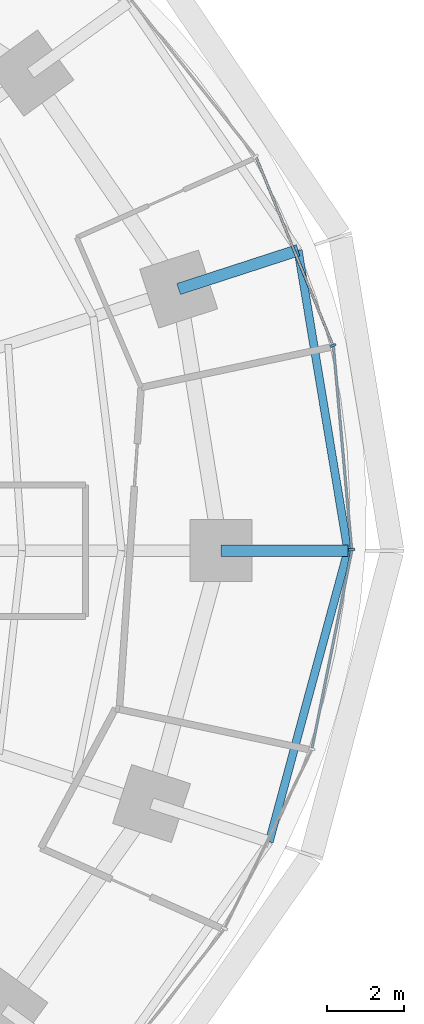
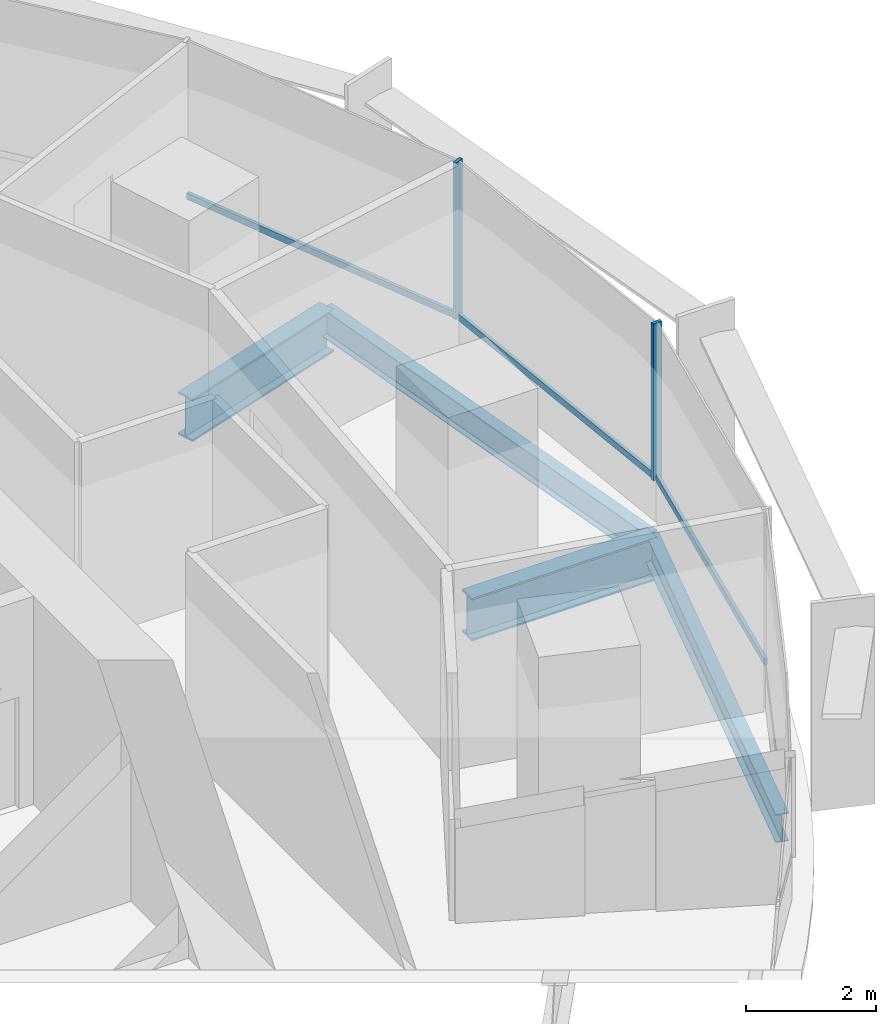
# One storey, part 6 of 14: 5 members, 4 beams, 2 elements without a shape of their own.
"""IFC4 building model written with IfcOpenShell, lengths in metres."""

import ifcopenshell
import ifcopenshell.guid

model = None  # the IFC model being written
_history = None  # IfcOwnerHistory: only IFC2X3 demands one
_inside = {}  # id of a spatial element -> (the spatial element, [elements in it])
_under = {}  # id of a project, library or spatial element -> (it, [spatial elements below it])
_declared = {}  # id of a project -> (the project, [libraries it declares])
_typed = {}  # id of a type object -> (the type object, [elements of that type])
_made_of = {}  # id of a material, layer set ... -> (it, [elements and type objects made of it])


def new_model(schema):
    """Start an empty IFC model of exactly this schema.

    Asked for "IFC4X3", IfcOpenShell would pick the latest addendum, in which some entities
    have other attributes; the version numbers below select the first issue.
    IFC2X3 requires an IfcOwnerHistory on every rooted entity: one is made here for all.
    """
    global model, _history
    if schema == "IFC4X3":
        model = ifcopenshell.file(schema_version=(4, 3, 0, 0))
    else:
        model = ifcopenshell.file(schema=schema)
    _inside.clear()
    _under.clear()
    _declared.clear()
    _typed.clear()
    _made_of.clear()
    _history = None
    if model.schema == "IFC2X3":
        org = make("IfcOrganization", Name="unknown")
        user = make(
            "IfcPersonAndOrganization",
            ThePerson=make("IfcPerson", FamilyName="unknown"),
            TheOrganization=org,
        )
        app = make(
            "IfcApplication",
            ApplicationDeveloper=org,
            Version="unknown",
            ApplicationFullName="unknown",
            ApplicationIdentifier="unknown",
        )
        _history = make(
            "IfcOwnerHistory",
            OwningUser=user,
            OwningApplication=app,
            ChangeAction="ADDED",
            CreationDate=0,
        )
    return model


def make(cls, **values):
    """One entity of the class cls with the attributes given. An attribute that is None is left unset."""
    return model.create_entity(
        cls, **{name: value for name, value in values.items() if value is not None}
    )


def rooted(cls, **values):
    """An entity with a GlobalId (a new one), such as an element, a storey or a relation."""
    return make(cls, GlobalId=ifcopenshell.guid.new(), OwnerHistory=_history, **values)


def si_unit(unit_type, name, prefix=None):
    """IfcSIUnit, for example si_unit("LENGTHUNIT", "METRE", prefix="MILLI")."""
    return make("IfcSIUnit", UnitType=unit_type, Prefix=prefix, Name=name)


def assignment(units):
    """IfcUnitAssignment: the units of a project."""
    return None if units is None else make("IfcUnitAssignment", Units=units)


def point(xyz):
    """IfcCartesianPoint."""
    return None if xyz is None else make("IfcCartesianPoint", Coordinates=xyz)


def direction(xyz):
    """IfcDirection."""
    return None if xyz is None else make("IfcDirection", DirectionRatios=xyz)


def frame(location, z_axis=None, x_axis=None):
    """IfcAxis2Placement3D, a coordinate frame: its origin and axes. An axis left out is left unset."""
    return make(
        "IfcAxis2Placement3D",
        Location=point(location),
        Axis=direction(z_axis),
        RefDirection=direction(x_axis),
    )


def frame_2d(location, x_axis=None):
    """IfcAxis2Placement2D, a coordinate frame in the plane: its origin and x axis."""
    return make(
        "IfcAxis2Placement2D", Location=point(location), RefDirection=direction(x_axis)
    )


def origin():
    """The frame at (0, 0, 0) with its axes left unset."""
    return frame((0.0, 0.0, 0.0))


def origin_2d():
    """The frame at (0, 0) in the plane with its x axis left unset."""
    return frame_2d((0.0, 0.0))


def place(relative_to, where):
    """IfcLocalPlacement: puts the frame where relative to a parent placement (None: the world)."""
    return make(
        "IfcLocalPlacement", PlacementRelTo=relative_to, RelativePlacement=where
    )


def context(
    kind, dimensions, precision=None, world=None, true_north=None, identifier=None
):
    """IfcGeometricRepresentationContext, for example the 3D "Model" context."""
    return make(
        "IfcGeometricRepresentationContext",
        ContextIdentifier=identifier,
        ContextType=kind,
        CoordinateSpaceDimension=dimensions,
        Precision=precision,
        WorldCoordinateSystem=world,
        TrueNorth=true_north,
    )


def subcontext(parent, identifier, kind, view, scale=None):
    """IfcGeometricRepresentationSubContext, for example "Body" below "Model"."""
    return make(
        "IfcGeometricRepresentationSubContext",
        ContextIdentifier=identifier,
        ContextType=kind,
        ParentContext=parent,
        TargetScale=scale,
        TargetView=view,
    )


def project(units=None, contexts=None):
    """IfcProject with its units and contexts."""
    return rooted(
        "IfcProject",
        Name="project",
        RepresentationContexts=contexts,
        UnitsInContext=assignment(units),
    )


def spatial(cls, under=None, at=None, **own):
    """A site, building, storey or space (cls), placed at a placement, below another one or the project."""
    s = rooted(cls, ObjectPlacement=at, **own)
    if under is not None:
        _under.setdefault(under.id(), (under, []))[1].append(s)
    return s


def profile(cls, at=None, kind="AREA", **sizes):
    """A parametric profile (cls). Its sizes go by their IFC names, for example OverallWidth=200.0."""
    return make(cls, ProfileType=kind, Position=at, **sizes)


def rectangle(**sizes):
    """IfcRectangleProfileDef."""
    return profile("IfcRectangleProfileDef", **sizes)


def i_section(**sizes):
    """IfcIShapeProfileDef."""
    return profile("IfcIShapeProfileDef", **sizes)


def extrude(swept, where, along, depth):
    """IfcExtrudedAreaSolid: the profile swept, set in the frame where, extruded along a direction by depth."""
    return make(
        "IfcExtrudedAreaSolid",
        SweptArea=swept,
        Position=where,
        ExtrudedDirection=direction(along),
        Depth=depth,
    )


def shape(context_of_items, identifier, shape_type, items):
    """IfcShapeRepresentation: the items that make up one representation, for example the "Body"."""
    return make(
        "IfcShapeRepresentation",
        ContextOfItems=context_of_items,
        RepresentationIdentifier=identifier,
        RepresentationType=shape_type,
        Items=items,
    )


def material(Name=None, Category=None):
    """IfcMaterial."""
    return make("IfcMaterial", Name=Name, Category=Category)


def material_profile(
    of_material, cross_section, Name=None, Category=None, Priority=None
):
    """IfcMaterialProfile: a cross section and its material."""
    return make(
        "IfcMaterialProfile",
        Name=Name,
        Material=of_material,
        Profile=cross_section,
        Priority=Priority,
        Category=Category,
    )


def profile_set(profiles, Name=None, composite=None):
    """IfcMaterialProfileSet."""
    return make(
        "IfcMaterialProfileSet",
        Name=Name,
        MaterialProfiles=profiles,
        CompositeProfile=composite,
    )


def made_of(thing, what):
    """Note that an element or type object is made of a material, layer set ...; save() writes the relation."""
    if what is not None:
        _made_of.setdefault(what.id(), (what, []))[1].append(thing)
    return thing


def type_object(cls, material=None, **own):
    """A type object (cls), such as IfcWallType, which elements share."""
    return made_of(rooted(cls, **own), material)


def element(
    cls,
    number,
    at=None,
    inside=None,
    cuts=None,
    type_object=None,
    material=None,
    context=None,
    identifier="Body",
    shape_type=None,
    held_by="IfcProductDefinitionShape",
    body=None,
    shapes=None,
    **own,
):
    """One element of the class cls, such as IfcWall. Its Tag is "e" and its number.

    at: its placement. inside: the storey or other place that contains it. cuts: it is an
    opening in that element (IfcRelVoidsElement). A single representation is given by context,
    identifier, shape_type and body (its items); several are given by shapes. held_by: the class
    of the entity that holds the representations. save() writes the other relations.
    """
    e = rooted(cls, Tag="e%d" % number, ObjectPlacement=at, **own)
    if body is not None:
        shapes = [shape(context, identifier, shape_type, body)]
    if shapes is not None:
        e.Representation = make(held_by, Representations=shapes)
    if inside is not None:
        _inside.setdefault(inside.id(), (inside, []))[1].append(e)
    if cuts is not None:
        rooted(
            "IfcRelVoidsElement", RelatingBuildingElement=cuts, RelatedOpeningElement=e
        )
    if type_object is not None:
        _typed.setdefault(type_object.id(), (type_object, []))[1].append(e)
    return made_of(e, material)


def aggregate(whole, parts):
    """IfcRelAggregates: a whole, such as a stair, and the parts it consists of."""
    return rooted("IfcRelAggregates", RelatingObject=whole, RelatedObjects=parts)


def save(model, path):
    """Write the relations noted so far, then the file.

    IfcRelAggregates (storeys below a building ...), IfcRelContainedInSpatialStructure (elements
    in a storey), IfcRelDefinesByType, IfcRelAssociatesMaterial and IfcRelDeclares: one each for
    every whole, place, type object, material and project.
    """
    for whole, parts in _under.values():
        aggregate(whole, parts)
    for where, things in _inside.values():
        rooted(
            "IfcRelContainedInSpatialStructure",
            RelatedElements=things,
            RelatingStructure=where,
        )
    for kind, things in _typed.values():
        rooted("IfcRelDefinesByType", RelatedObjects=things, RelatingType=kind)
    for what, things in _made_of.values():
        rooted("IfcRelAssociatesMaterial", RelatedObjects=things, RelatingMaterial=what)
    for by, libraries in _declared.values():
        rooted("IfcRelDeclares", RelatingContext=by, RelatedDefinitions=libraries)
    model.write(path)


model = new_model("IFC4")

# Units and contexts
model_context = context("Model", 3, precision=1e-05, world=origin(), true_north=direction((0.0, 1.0)))
body_context = subcontext(model_context, "Body", "Model", "MODEL_VIEW")
ifc_project = project(units=[si_unit("LENGTHUNIT", "METRE"), si_unit("AREAUNIT", "SQUARE_METRE"), si_unit("VOLUMEUNIT", "CUBIC_METRE"), si_unit("PLANEANGLEUNIT", "RADIAN"), si_unit("MASSUNIT", "GRAM", prefix="KILO")], contexts=[model_context])

# Site, building, storey
site_placement = place(None, origin())
site = spatial("IfcSite", under=ifc_project, at=site_placement, CompositionType="ELEMENT")
building_placement = place(site_placement, origin())
building = spatial("IfcBuilding", under=site, at=building_placement, Name="Marramba Exchange Tower", CompositionType="ELEMENT")
storey_placement = place(building_placement, frame((0.0, 0.0, 131.39990234375)))
storey = spatial("IfcBuildingStorey", under=building, at=storey_placement, Name="L31", CompositionType="ELEMENT", Elevation=131.39990234375)

# Beams
ifc_material_1 = material(Name="Steel AS/NZS 3679.2 grade 300", Category="steel")
ifc_material_profile_1 = material_profile(ifc_material_1, i_section(OverallWidth=0.300048828125, OverallDepth=0.800048828125, WebThickness=0.013916015625, FlangeThickness=0.031982421875, at=origin_2d()), Name="800WB192")
ifc_profile_set_1 = profile_set([ifc_material_profile_1], Name="Steel AS/NZS 3679.2 grade 300")
beam_type_1 = type_object("IfcBeamType", Name="Cantilever girder 800WB192", PredefinedType="BEAM", material=ifc_profile_set_1)
beam_1_placement = place(storey_placement, frame((21.89990234375, 0.0, -0.559814453125), z_axis=(1.0, 0.0, 0.0), x_axis=(0.0, 1.0, 0.0)))
element("IfcBeam", 1, at=beam_1_placement, inside=storey, type_object=beam_type_1, Name="Cantilever girder L31 TC01", PredefinedType="BEAM", context=body_context, shape_type="SweptSolid", body=[
    extrude(i_section(OverallWidth=0.300048828125, OverallDepth=0.800048828125, WebThickness=0.013916015625, FlangeThickness=0.031982421875, at=origin_2d()), origin(), (0.0, 0.0, 1.0), 3.281982421875),
])
beam_2_placement = place(storey_placement, frame((20.808349609375, 6.760986328125, -0.559814453125), z_axis=(0.95105562578, 0.309019735087, 0.0), x_axis=(-0.309019735087, 0.95105562578, 0.0)))
element("IfcBeam", 2, at=beam_2_placement, inside=storey, type_object=beam_type_1, Name="Cantilever girder L31 TC02", PredefinedType="BEAM", context=body_context, shape_type="SweptSolid", body=[
    extrude(i_section(OverallWidth=0.300048828125, OverallDepth=0.800048828125, WebThickness=0.013916015625, FlangeThickness=0.031982421875, at=origin_2d()), origin(), (0.0, 0.0, 1.0), 3.24560546875),
])

# Curtain wall, members
ifc_material_2 = material(Name="Aluminium framing, bronze anodised", Category="aluminium")
curtain_wall_type = type_object("IfcCurtainWallType", Name="Office ribbon curtain wall", PredefinedType="USERDEFINED", material=ifc_material_2)
curtain_wall_1_placement = place(storey_placement, origin())
curtain_wall_1 = element("IfcCurtainWall", 3, at=curtain_wall_1_placement, inside=storey, type_object=curtain_wall_type, Name="Curtain wall CW4 L31 F01-F05", ObjectType="RIBBON CURTAIN WALL", PredefinedType="USERDEFINED")
ifc_material_3 = material(Name="Aluminium mullion, bronze anodised", Category="aluminium")
ifc_material_profile_2 = material_profile(ifc_material_3, rectangle(XDim=0.159912109375, YDim=0.06005859375, at=origin_2d()), Name="CW4 mullion 60x160")
ifc_profile_set_2 = profile_set([ifc_material_profile_2], Name="Aluminium mullion, bronze anodised")
member_type_1 = type_object("IfcMemberType", Name="Office ribbon curtain wall mullion", PredefinedType="MULLION", material=ifc_profile_set_2)
member_1_placement = place(storey_placement, frame((25.279296875, 0.02978515625, 0.800048828125), z_axis=(0.0, 0.0, 1.0), x_axis=(-0.995994646311, -0.089412887889, 0.0)))
member_1 = element("IfcMember", 4, at=member_1_placement, type_object=member_type_1, Name="CW4 mullion 1", PredefinedType="MULLION", context=body_context, shape_type="SweptSolid", body=[
    extrude(rectangle(XDim=0.159912109375, YDim=0.06005859375, at=origin_2d()), origin(), (0.0, 0.0, 1.0), 2.93994140625),
])
member_2_placement = place(storey_placement, frame((24.79736328125, 5.301025390625, 0.800048828125), z_axis=(0.0, 0.0, 1.0), x_axis=(-0.925878584668, -0.377821183171, 0.0)))
member_2 = element("IfcMember", 5, at=member_2_placement, type_object=member_type_1, Name="CW4 mullion 1", PredefinedType="MULLION", context=body_context, shape_type="SweptSolid", body=[
    extrude(rectangle(XDim=0.159912109375, YDim=0.06005859375, at=origin_2d()), origin(), (0.0, 0.0, 1.0), 2.93994140625),
])
ifc_material_4 = material(Name="Aluminium transom, bronze anodised", Category="aluminium")
ifc_material_profile_3 = material_profile(ifc_material_4, rectangle(XDim=0.06005859375, YDim=0.1201171875, at=origin_2d()), Name="CW4 transom 60x120")
ifc_profile_set_3 = profile_set([ifc_material_profile_3], Name="Aluminium transom, bronze anodised")
member_type_2 = type_object("IfcMemberType", Name="Office ribbon curtain wall transom", PredefinedType="USERDEFINED", material=ifc_profile_set_3)
member_3_placement = place(storey_placement, frame((25.276611328125, 0.059814453125, 0.830078125), z_axis=(-0.089412838135, 0.995994650777, 0.0), x_axis=(-0.995994650777, -0.089412838135, 0.0)))
member_3 = element("IfcMember", 6, at=member_3_placement, type_object=member_type_2, Name="CW4 sill transom", ObjectType="TRANSOM", PredefinedType="USERDEFINED", context=body_context, shape_type="SweptSolid", body=[
    extrude(rectangle(XDim=0.06005859375, YDim=0.1201171875, at=origin_2d()), origin(), (0.0, 0.0, 1.0), 5.234375),
])
member_4_placement = place(storey_placement, frame((24.785888671875, 5.328857421875, 0.830078125), z_axis=(-0.377838039034, 0.925871706155, 0.0), x_axis=(-0.925871706155, -0.377838039034, 0.0)))
member_4 = element("IfcMember", 7, at=member_4_placement, type_object=member_type_2, Name="CW4 sill transom", ObjectType="TRANSOM", PredefinedType="USERDEFINED", context=body_context, shape_type="SweptSolid", body=[
    extrude(rectangle(XDim=0.06005859375, YDim=0.1201171875, at=origin_2d()), origin(), (0.0, 0.0, 1.0), 5.2158203125),
])
aggregate(curtain_wall_1, [member_1, member_3, member_2, member_4])

# Curtain wall, member
curtain_wall_2_placement = place(storey_placement, origin())
curtain_wall_2 = element("IfcCurtainWall", 8, at=curtain_wall_2_placement, inside=storey, type_object=curtain_wall_type, Name="Curtain wall CW4 L31 F26-F30", ObjectType="RIBBON CURTAIN WALL", PredefinedType="USERDEFINED")
member_5_placement = place(storey_placement, frame((24.258056640625, -5.094970703125, 0.830078125), z_axis=(0.197028520451, 0.980397757101, 0.0), x_axis=(-0.980397757101, 0.197028520451, 0.0)))
member_5 = element("IfcMember", 9, at=member_5_placement, type_object=member_type_2, Name="CW4 sill transom", ObjectType="TRANSOM", PredefinedType="USERDEFINED", context=body_context, shape_type="SweptSolid", body=[
    extrude(rectangle(XDim=0.06005859375, YDim=0.1201171875, at=origin_2d()), origin(), (0.0, 0.0, 1.0), 5.19677734375),
])
aggregate(curtain_wall_2, [member_5])

# Beams
ifc_material_5 = material(Name="Steel AS/NZS 3679.1 grade 300", Category="steel")
ifc_material_profile_4 = material_profile(ifc_material_5, i_section(OverallWidth=0.208984375, OverallDepth=0.528076171875, WebThickness=0.009521484375, FlangeThickness=0.01318359375, FilletRadius=0.013916015625, at=origin_2d()), Name="530UB82.0")
ifc_profile_set_4 = profile_set([ifc_material_profile_4], Name="Steel AS/NZS 3679.1 grade 300")
beam_type_2 = type_object("IfcBeamType", Name="Slab edge beam 530UB82.0", PredefinedType="SPANDREL", material=ifc_profile_set_4)
beam_3_placement = place(storey_placement, frame((25.181884765625, 0.0, -0.423828125), z_axis=(-0.163518559175, 0.986540258076, 0.0), x_axis=(-0.986540258076, -0.163518559175, 0.0)))
element("IfcBeam", 10, at=beam_3_placement, inside=storey, type_object=beam_type_2, Name="Slab edge beam L31 TC01-TC02", PredefinedType="SPANDREL", context=body_context, shape_type="SweptSolid", body=[
    extrude(i_section(OverallWidth=0.208984375, OverallDepth=0.528076171875, WebThickness=0.009521484375, FlangeThickness=0.01318359375, FilletRadius=0.013916015625, at=origin_2d()), origin(), (0.0, 0.0, 1.0), 7.869873046875),
])
beam_4_placement = place(storey_placement, frame((23.148681640625, -7.521484375, -0.423828125), z_axis=(0.260953221575, 0.965351446961, 0.0), x_axis=(-0.965351446961, 0.260953221575, 0.0)))
element("IfcBeam", 11, at=beam_4_placement, inside=storey, type_object=beam_type_2, Name="Slab edge beam L31 TC20-TC01", PredefinedType="SPANDREL", context=body_context, shape_type="SweptSolid", body=[
    extrude(i_section(OverallWidth=0.208984375, OverallDepth=0.528076171875, WebThickness=0.009521484375, FlangeThickness=0.01318359375, FilletRadius=0.013916015625, at=origin_2d()), origin(), (0.0, 0.0, 1.0), 7.79150390625),
])

save(model, "model.ifc")
